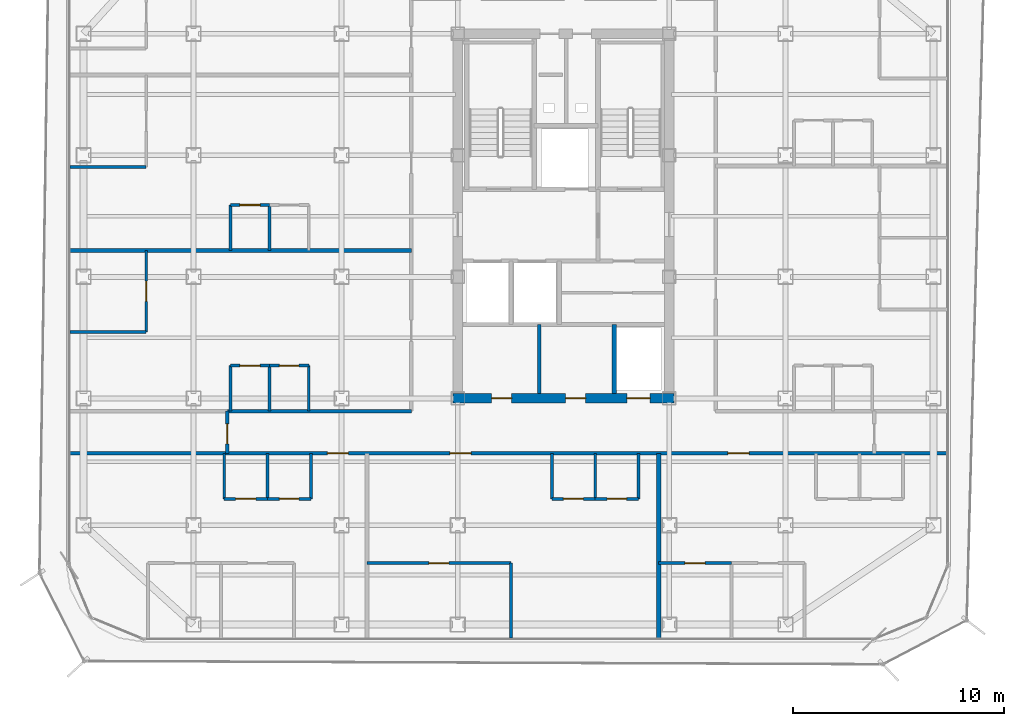
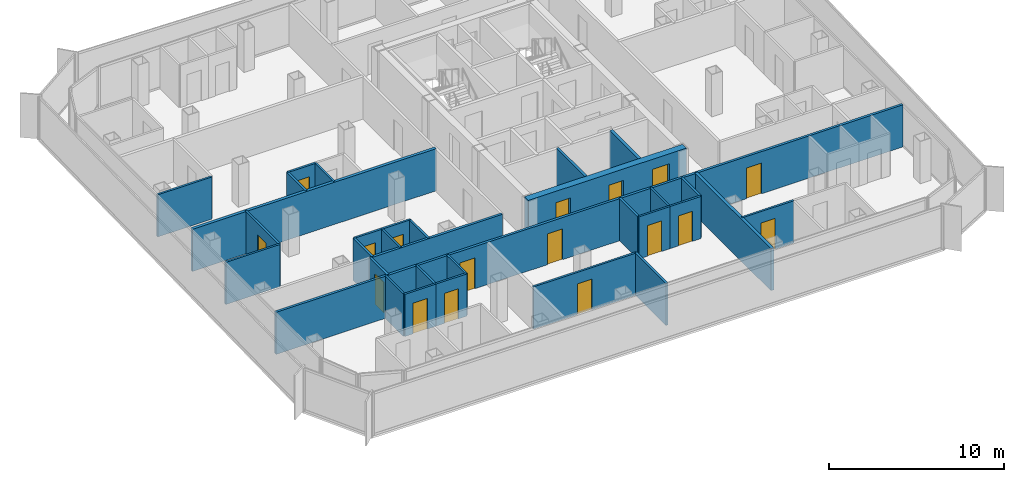
# One storey, part 10 of 16: 32 walls, 17 doors, 17 openings.
"""IFC4 building model written with IfcOpenShell, lengths in metres."""

from ifc_helpers import new_model, si_unit, direction, frame, frame_2d, origin, place, context, subcontext, project, spatial, rectangle, extrude, material, layer, layer_set, type_object, element, fill, save


model = new_model("IFC4")

# Units and contexts
model_context = context("Model", 3, precision=1e-05, world=origin(), true_north=direction((0.0, 1.0)))
body_context = subcontext(model_context, "Body", "Model", "MODEL_VIEW")
ifc_project = project(units=[si_unit("LENGTHUNIT", "METRE"), si_unit("AREAUNIT", "SQUARE_METRE"), si_unit("VOLUMEUNIT", "CUBIC_METRE"), si_unit("PLANEANGLEUNIT", "RADIAN"), si_unit("MASSUNIT", "GRAM", prefix="KILO")], contexts=[model_context])

# Site, building, storey
site_placement = place(None, origin())
site = spatial("IfcSite", under=ifc_project, at=site_placement, CompositionType="ELEMENT")
building_placement = place(site_placement, origin())
building = spatial("IfcBuilding", under=site, at=building_placement, Name="Kolveth Station Tower", CompositionType="ELEMENT")
storey_placement = place(building_placement, frame((0.0, 0.0, 159.300048828125)))
storey = spatial("IfcBuildingStorey", under=building, at=storey_placement, Name="L44", CompositionType="ELEMENT", Elevation=159.300048828125)

# Wall, openings, doors
ifc_material_1 = material(Name="Concrete C50/60", Category="concrete")
ifc_layer_1 = layer(ifc_material_1, 0.449951171875)
ifc_layer_set_1 = layer_set([ifc_layer_1], Name="Concrete C50/60")
wall_type_1 = type_object("IfcWallType", Name="Wall_CW-450", PredefinedType="SHEAR", material=ifc_layer_set_1)
wall_1_placement = place(storey_placement, frame((18.27490234375, 11.5, 0.0), z_axis=(0.0, 0.0, 1.0), x_axis=(1.0, 0.0, 0.0)))
wall_1 = element("IfcWall", 1, at=wall_1_placement, inside=storey, type_object=wall_type_1, Name="L44 Core RC Shear Wall S", PredefinedType="SHEAR", context=body_context, shape_type="SweptSolid", body=[
    extrude(rectangle(XDim=10.4501953125, YDim=0.449951171875, at=frame_2d((5.22509765625, 0.0))), origin(), (0.0, 0.0, 1.0), 2.949951171875),
])
opening_1_placement = place(wall_1_placement, frame((1.824951171875, 0.0, 0.0)))
opening_1 = element("IfcOpeningElement", 2, at=opening_1_placement, cuts=wall_1, Name="Opening ID1", PredefinedType="OPENING", context=body_context, shape_type="SweptSolid", body=[
    extrude(rectangle(XDim=0.949951171875, YDim=2.14990234375, at=frame_2d((0.47509765625, 1.074951171875))), frame((0.0, 0.23486328125, 0.0), z_axis=(0.0, -1.0, 0.0), x_axis=(1.0, 0.0, 0.0)), (0.0, 0.0, 1.0), 0.469970703125),
])
opening_2_placement = place(wall_1_placement, frame((5.324951171875, 0.0, 0.0)))
opening_2 = element("IfcOpeningElement", 3, at=opening_2_placement, cuts=wall_1, Name="Opening ID1", PredefinedType="OPENING", context=body_context, shape_type="SweptSolid", body=[
    extrude(rectangle(XDim=0.949951171875, YDim=2.14990234375, at=frame_2d((0.47509765625, 1.074951171875))), frame((0.0, 0.23486328125, 0.0), z_axis=(0.0, -1.0, 0.0), x_axis=(1.0, 0.0, 0.0)), (0.0, 0.0, 1.0), 0.469970703125),
])
opening_3_placement = place(wall_1_placement, frame((8.22509765625, 0.0, 0.0)))
opening_3 = element("IfcOpeningElement", 4, at=opening_3_placement, cuts=wall_1, Name="Opening LD1", PredefinedType="OPENING", context=body_context, shape_type="SweptSolid", body=[
    extrude(rectangle(XDim=1.10009765625, YDim=2.25, at=frame_2d((0.550048828125, 1.125))), frame((0.0, 0.23486328125, 0.0), z_axis=(0.0, -1.0, 0.0), x_axis=(1.0, 0.0, 0.0)), (0.0, 0.0, 1.0), 0.469970703125),
])
ifc_material_2 = material(Name="Acoustic hardwood leaf and aluminium frame", Category="wood")
door_type_1 = type_object("IfcDoorType", Name="Door_ID1", OperationType="NOTDEFINED", PredefinedType="DOOR", material=ifc_material_2)
door_1_placement = place(opening_1_placement, frame((0.949951171875, 0.0, 0.0), z_axis=(0.0, 0.0, 1.0), x_axis=(-1.0, 0.0, 0.0)))
door_1 = element("IfcDoor", 5, at=door_1_placement, inside=storey, type_object=door_type_1, Name="L44 Laundry Room Door", OperationType="SINGLE_SWING_LEFT", OverallHeight=2.14990234375, OverallWidth=0.949951171875, PredefinedType="DOOR", context=body_context, shape_type="SweptSolid", body=[
    extrude(rectangle(XDim=0.949951171875, YDim=2.14990234375, at=frame_2d((0.47509765625, 1.074951171875))), frame((0.0, 0.02490234375, 0.0), z_axis=(0.0, -1.0, 0.0), x_axis=(1.0, 0.0, 0.0)), (0.0, 0.0, 1.0), 0.050048828125),
])
fill(opening_1, door_1)
door_2_placement = place(opening_2_placement, frame((0.949951171875, 0.0, 0.0), z_axis=(0.0, 0.0, 1.0), x_axis=(-1.0, 0.0, 0.0)))
door_2 = element("IfcDoor", 6, at=door_2_placement, inside=storey, type_object=door_type_1, Name="L44 Parcel Room Door", OperationType="SINGLE_SWING_RIGHT", OverallHeight=2.14990234375, OverallWidth=0.949951171875, PredefinedType="DOOR", context=body_context, shape_type="SweptSolid", body=[
    extrude(rectangle(XDim=0.949951171875, YDim=2.14990234375, at=frame_2d((0.47509765625, 1.074951171875))), frame((0.0, 0.02490234375, 0.0), z_axis=(0.0, -1.0, 0.0), x_axis=(1.0, 0.0, 0.0)), (0.0, 0.0, 1.0), 0.050048828125),
])
fill(opening_2, door_2)
ifc_material_3 = material(Name="Brushed stainless steel sliding landing doors", Category="steel")
door_type_2 = type_object("IfcDoorType", Name="Door_LD1", OperationType="NOTDEFINED", PredefinedType="DOOR", material=ifc_material_3)
door_3_placement = place(opening_3_placement, frame((1.10009765625, 0.0, 0.0), z_axis=(0.0, 0.0, 1.0), x_axis=(-1.0, 0.0, 0.0)))
door_3 = element("IfcDoor", 7, at=door_3_placement, inside=storey, type_object=door_type_2, Name="L44 Lift PH1 Landing Door", OperationType="DOUBLE_DOOR_SLIDING", OverallHeight=2.25, OverallWidth=1.10009765625, PredefinedType="DOOR", context=body_context, shape_type="SweptSolid", body=[
    extrude(rectangle(XDim=1.10009765625, YDim=2.25, at=frame_2d((0.550048828125, 1.125))), frame((0.0, 0.02490234375, 0.0), z_axis=(0.0, -1.0, 0.0), x_axis=(1.0, 0.0, 0.0)), (0.0, 0.0, 1.0), 0.050048828125),
])
fill(opening_3, door_3)

# Wall, opening, door
ifc_material_4 = material(Name="Moisture-resistant gypsum partition")
ifc_layer_2 = layer(ifc_material_4, 0.135009765625)
ifc_layer_set_2 = layer_set([ifc_layer_2], Name="Moisture-resistant gypsum partition")
wall_type_2 = type_object("IfcWallType", Name="Wall_IW-135", PredefinedType="PARTITIONING", material=ifc_layer_set_2)
wall_2_placement = place(storey_placement, frame((7.449951171875, 6.75, 0.0), z_axis=(0.0, 0.0, 1.0), x_axis=(1.0, 0.0, 0.0)))
wall_2 = element("IfcWall", 8, at=wall_2_placement, inside=storey, type_object=wall_type_2, Name="L44 Partition Wall WL-L44-A1-IBHK", PredefinedType="PARTITIONING", context=body_context, shape_type="SweptSolid", body=[
    extrude(rectangle(XDim=2.050048828125, YDim=0.135009765625, at=frame_2d((1.02490234375, 0.0))), origin(), (0.0, 0.0, 1.0), 2.949951171875),
])
opening_4_placement = place(wall_2_placement, frame((0.544921875, 0.0, 0.0)))
opening_4 = element("IfcOpeningElement", 9, at=opening_4_placement, cuts=wall_2, Name="Opening ID1", PredefinedType="OPENING", context=body_context, shape_type="SweptSolid", body=[
    extrude(rectangle(XDim=0.949951171875, YDim=2.14990234375, at=frame_2d((0.47509765625, 1.074951171875))), frame((0.0, 0.077392578125, 0.0), z_axis=(0.0, -1.0, 0.0), x_axis=(1.0, 0.0, 0.0)), (0.0, 0.0, 1.0), 0.155029296875),
])
door_4_placement = place(opening_4_placement, origin())
door_4 = element("IfcDoor", 10, at=door_4_placement, inside=storey, type_object=door_type_1, Name="Penthouse Flat L44-A1 Kitchen Door", OperationType="SINGLE_SWING_LEFT", OverallHeight=2.14990234375, OverallWidth=0.949951171875, PredefinedType="DOOR", context=body_context, shape_type="SweptSolid", body=[
    extrude(rectangle(XDim=0.949951171875, YDim=2.14990234375, at=frame_2d((0.47509765625, 1.074951171875))), frame((0.0, 0.02490234375, 0.0), z_axis=(0.0, -1.0, 0.0), x_axis=(1.0, 0.0, 0.0)), (0.0, 0.0, 1.0), 0.050048828125),
])
fill(opening_4, door_4)

wall_3_placement = place(storey_placement, frame((9.5, 6.75, 0.0), z_axis=(0.0, 0.0, 1.0), x_axis=(1.0, 0.0, 0.0)))
wall_3 = element("IfcWall", 11, at=wall_3_placement, inside=storey, type_object=wall_type_2, Name="L44 Partition Wall WL-L44-A1-IBHB", PredefinedType="PARTITIONING", context=body_context, shape_type="SweptSolid", body=[
    extrude(rectangle(XDim=2.050048828125, YDim=0.135009765625, at=frame_2d((1.02490234375, 0.0))), origin(), (0.0, 0.0, 1.0), 2.949951171875),
])
opening_5_placement = place(wall_3_placement, frame((0.56494140625, 0.0, 0.0)))
opening_5 = element("IfcOpeningElement", 12, at=opening_5_placement, cuts=wall_3, Name="Opening ID2", PredefinedType="OPENING", context=body_context, shape_type="SweptSolid", body=[
    extrude(rectangle(XDim=0.919921875, YDim=2.10009765625, at=frame_2d((0.4599609375, 1.050048828125))), frame((0.0, 0.077392578125, 0.0), z_axis=(0.0, -1.0, 0.0), x_axis=(1.0, 0.0, 0.0)), (0.0, 0.0, 1.0), 0.155029296875),
])
ifc_material_5 = material(Name="Moisture-resistant hardwood leaf", Category="wood")
door_type_3 = type_object("IfcDoorType", Name="Door_ID2", OperationType="NOTDEFINED", PredefinedType="DOOR", material=ifc_material_5)
door_5_placement = place(opening_5_placement, origin())
door_5 = element("IfcDoor", 13, at=door_5_placement, inside=storey, type_object=door_type_3, Name="Penthouse Flat L44-A1 Bathroom Door", OperationType="SINGLE_SWING_RIGHT", OverallHeight=2.10009765625, OverallWidth=0.919921875, PredefinedType="DOOR", context=body_context, shape_type="SweptSolid", body=[
    extrude(rectangle(XDim=0.919921875, YDim=2.10009765625, at=frame_2d((0.4599609375, 1.050048828125))), frame((0.0, 0.02490234375, 0.0), z_axis=(0.0, -1.0, 0.0), x_axis=(1.0, 0.0, 0.0)), (0.0, 0.0, 1.0), 0.050048828125),
])
fill(opening_5, door_5)

# Walls
for number, where, z_axis, x_axis, name in (
    (14, (7.449951171875, 6.75, 0.0), (0.0, 0.0, 1.0), (0.0, 1.0, 0.0), "L44 Partition Wall WL-L44-A1-IBV0"),
    (15, (9.5, 6.75, 0.0), (0.0, 0.0, 1.0), (0.0, 1.0, 0.0), "L44 Partition Wall WL-L44-A1-IBV1"),
    (16, (11.550048828125, 6.75, 0.0), (0.0, 0.0, 1.0), (0.0, 1.0, 0.0), "L44 Partition Wall WL-L44-A1-IBV2"),
):
    element("IfcWall", number, at=place(storey_placement, frame(where, z_axis=z_axis, x_axis=x_axis)), inside=storey, type_object=wall_type_2, Name=name, PredefinedType="PARTITIONING", context=body_context, shape_type="SweptSolid", body=[
        extrude(rectangle(XDim=2.14990234375, YDim=0.135009765625, at=frame_2d((1.074951171875, 0.0))), origin(), (0.0, 0.0, 1.0), 2.949951171875),
    ])

# Wall, opening, door
wall_4_placement = place(storey_placement, frame((22.949951171875, 6.75, 0.0), z_axis=(0.0, 0.0, 1.0), x_axis=(1.0, 0.0, 0.0)))
wall_4 = element("IfcWall", 17, at=wall_4_placement, inside=storey, type_object=wall_type_2, Name="L44 Partition Wall WL-L44-A2-IBHK", PredefinedType="PARTITIONING", context=body_context, shape_type="SweptSolid", body=[
    extrude(rectangle(XDim=2.050048828125, YDim=0.135009765625, at=frame_2d((1.02490234375, 0.0))), origin(), (0.0, 0.0, 1.0), 2.949951171875),
])
opening_6_placement = place(wall_4_placement, frame((0.544921875, 0.0, 0.0)))
opening_6 = element("IfcOpeningElement", 18, at=opening_6_placement, cuts=wall_4, Name="Opening ID1", PredefinedType="OPENING", context=body_context, shape_type="SweptSolid", body=[
    extrude(rectangle(XDim=0.949951171875, YDim=2.14990234375, at=frame_2d((0.47509765625, 1.074951171875))), frame((0.0, 0.077392578125, 0.0), z_axis=(0.0, -1.0, 0.0), x_axis=(1.0, 0.0, 0.0)), (0.0, 0.0, 1.0), 0.155029296875),
])
door_6_placement = place(opening_6_placement, origin())
door_6 = element("IfcDoor", 19, at=door_6_placement, inside=storey, type_object=door_type_1, Name="Penthouse Flat L44-A2 Kitchen Door", OperationType="SINGLE_SWING_RIGHT", OverallHeight=2.14990234375, OverallWidth=0.949951171875, PredefinedType="DOOR", context=body_context, shape_type="SweptSolid", body=[
    extrude(rectangle(XDim=0.949951171875, YDim=2.14990234375, at=frame_2d((0.47509765625, 1.074951171875))), frame((0.0, 0.02490234375, 0.0), z_axis=(0.0, -1.0, 0.0), x_axis=(1.0, 0.0, 0.0)), (0.0, 0.0, 1.0), 0.050048828125),
])
fill(opening_6, door_6)

wall_5_placement = place(storey_placement, frame((25.0, 6.75, 0.0), z_axis=(0.0, 0.0, 1.0), x_axis=(1.0, 0.0, 0.0)))
wall_5 = element("IfcWall", 20, at=wall_5_placement, inside=storey, type_object=wall_type_2, Name="L44 Partition Wall WL-L44-A2-IBHB", PredefinedType="PARTITIONING", context=body_context, shape_type="SweptSolid", body=[
    extrude(rectangle(XDim=2.050048828125, YDim=0.135009765625, at=frame_2d((1.02490234375, 0.0))), origin(), (0.0, 0.0, 1.0), 2.949951171875),
])
opening_7_placement = place(wall_5_placement, frame((0.56494140625, 0.0, 0.0)))
opening_7 = element("IfcOpeningElement", 21, at=opening_7_placement, cuts=wall_5, Name="Opening ID2", PredefinedType="OPENING", context=body_context, shape_type="SweptSolid", body=[
    extrude(rectangle(XDim=0.919921875, YDim=2.10009765625, at=frame_2d((0.4599609375, 1.050048828125))), frame((0.0, 0.077392578125, 0.0), z_axis=(0.0, -1.0, 0.0), x_axis=(1.0, 0.0, 0.0)), (0.0, 0.0, 1.0), 0.155029296875),
])
door_7_placement = place(opening_7_placement, origin())
door_7 = element("IfcDoor", 22, at=door_7_placement, inside=storey, type_object=door_type_3, Name="Penthouse Flat L44-A2 Bathroom Door", OperationType="SINGLE_SWING_LEFT", OverallHeight=2.10009765625, OverallWidth=0.919921875, PredefinedType="DOOR", context=body_context, shape_type="SweptSolid", body=[
    extrude(rectangle(XDim=0.919921875, YDim=2.10009765625, at=frame_2d((0.4599609375, 1.050048828125))), frame((0.0, 0.02490234375, 0.0), z_axis=(0.0, -1.0, 0.0), x_axis=(1.0, 0.0, 0.0)), (0.0, 0.0, 1.0), 0.050048828125),
])
fill(opening_7, door_7)

# Walls
for number, where, z_axis, x_axis, name in (
    (23, (22.949951171875, 6.75, 0.0), (0.0, 0.0, 1.0), (0.0, 1.0, 0.0), "L44 Partition Wall WL-L44-A2-IBV0"),
    (24, (25.0, 6.75, 0.0), (0.0, 0.0, 1.0), (0.0, 1.0, 0.0), "L44 Partition Wall WL-L44-A2-IBV1"),
    (25, (27.050048828125, 6.75, 0.0), (0.0, 0.0, 1.0), (0.0, 1.0, 0.0), "L44 Partition Wall WL-L44-A2-IBV2"),
):
    element("IfcWall", number, at=place(storey_placement, frame(where, z_axis=z_axis, x_axis=x_axis)), inside=storey, type_object=wall_type_2, Name=name, PredefinedType="PARTITIONING", context=body_context, shape_type="SweptSolid", body=[
        extrude(rectangle(XDim=2.14990234375, YDim=0.135009765625, at=frame_2d((1.074951171875, 0.0))), origin(), (0.0, 0.0, 1.0), 2.949951171875),
    ])
wall_6_placement = place(storey_placement, frame((21.02001953125, 0.159912109375, 0.0), z_axis=(0.0, 0.0, 1.0), x_axis=(0.0, 1.0, 0.0)))
element("IfcWall", 26, at=wall_6_placement, inside=storey, type_object=wall_type_2, Name="L44 Partition Wall WL-L44-A2-BDVE", PredefinedType="PARTITIONING", context=body_context, shape_type="SweptSolid", body=[
    extrude(rectangle(XDim=3.550048828125, YDim=0.135009765625, at=frame_2d((1.77490234375, 0.0))), origin(), (0.0, 0.0, 1.0), 2.949951171875),
])

# Wall, opening, door
wall_7_placement = place(storey_placement, frame((14.199951171875, 3.7099609375, 0.0), z_axis=(0.0, 0.0, 1.0), x_axis=(1.0, 0.0, 0.0)))
wall_7 = element("IfcWall", 27, at=wall_7_placement, inside=storey, type_object=wall_type_2, Name="L44 Partition Wall WL-L44-A2-BDH1", PredefinedType="PARTITIONING", context=body_context, shape_type="SweptSolid", body=[
    extrude(rectangle(XDim=6.820068359375, YDim=0.135009765625, at=frame_2d((3.41015625, 0.0))), origin(), (0.0, 0.0, 1.0), 2.949951171875),
])
opening_8_placement = place(wall_7_placement, frame((2.929931640625, 0.0, 0.0)))
opening_8 = element("IfcOpeningElement", 28, at=opening_8_placement, cuts=wall_7, Name="Opening ID1", PredefinedType="OPENING", context=body_context, shape_type="SweptSolid", body=[
    extrude(rectangle(XDim=0.949951171875, YDim=2.14990234375, at=frame_2d((0.47509765625, 1.074951171875))), frame((0.0, 0.077392578125, 0.0), z_axis=(0.0, -1.0, 0.0), x_axis=(1.0, 0.0, 0.0)), (0.0, 0.0, 1.0), 0.155029296875),
])
door_8_placement = place(opening_8_placement, frame((0.949951171875, 0.0, 0.0), z_axis=(0.0, 0.0, 1.0), x_axis=(-1.0, 0.0, 0.0)))
door_8 = element("IfcDoor", 29, at=door_8_placement, inside=storey, type_object=door_type_1, Name="Penthouse Flat L44-A2 Bedroom 1 Door", OperationType="SINGLE_SWING_RIGHT", OverallHeight=2.14990234375, OverallWidth=0.949951171875, PredefinedType="DOOR", context=body_context, shape_type="SweptSolid", body=[
    extrude(rectangle(XDim=0.949951171875, YDim=2.14990234375, at=frame_2d((0.47509765625, 1.074951171875))), frame((0.0, 0.02490234375, 0.0), z_axis=(0.0, -1.0, 0.0), x_axis=(1.0, 0.0, 0.0)), (0.0, 0.0, 1.0), 0.050048828125),
])
fill(opening_8, door_8)

wall_8_placement = place(storey_placement, frame((28.0, 3.7099609375, 0.0), z_axis=(0.0, 0.0, 1.0), x_axis=(1.0, 0.0, 0.0)))
wall_8 = element("IfcWall", 30, at=wall_8_placement, inside=storey, type_object=wall_type_2, Name="L44 Partition Wall WL-L44-A3-BDH1", PredefinedType="PARTITIONING", context=body_context, shape_type="SweptSolid", body=[
    extrude(rectangle(XDim=3.449951171875, YDim=0.135009765625, at=frame_2d((1.72509765625, 0.0))), origin(), (0.0, 0.0, 1.0), 2.949951171875),
])
opening_9_placement = place(wall_8_placement, frame((1.2451171875, 0.0, 0.0)))
opening_9 = element("IfcOpeningElement", 31, at=opening_9_placement, cuts=wall_8, Name="Opening ID1", PredefinedType="OPENING", context=body_context, shape_type="SweptSolid", body=[
    extrude(rectangle(XDim=0.949951171875, YDim=2.14990234375, at=frame_2d((0.47509765625, 1.074951171875))), frame((0.0, 0.077392578125, 0.0), z_axis=(0.0, -1.0, 0.0), x_axis=(1.0, 0.0, 0.0)), (0.0, 0.0, 1.0), 0.155029296875),
])
door_9_placement = place(opening_9_placement, frame((0.949951171875, 0.0, 0.0), z_axis=(0.0, 0.0, 1.0), x_axis=(-1.0, 0.0, 0.0)))
door_9 = element("IfcDoor", 32, at=door_9_placement, inside=storey, type_object=door_type_1, Name="Penthouse Flat L44-A3 Bedroom 1 Door", OperationType="SINGLE_SWING_RIGHT", OverallHeight=2.14990234375, OverallWidth=0.949951171875, PredefinedType="DOOR", context=body_context, shape_type="SweptSolid", body=[
    extrude(rectangle(XDim=0.949951171875, YDim=2.14990234375, at=frame_2d((0.47509765625, 1.074951171875))), frame((0.0, 0.02490234375, 0.0), z_axis=(0.0, -1.0, 0.0), x_axis=(1.0, 0.0, 0.0)), (0.0, 0.0, 1.0), 0.050048828125),
])
fill(opening_9, door_9)

wall_9_placement = place(storey_placement, frame((7.75, 13.050048828125, 0.0), z_axis=(0.0, 0.0, 1.0), x_axis=(1.0, 0.0, 0.0)))
wall_9 = element("IfcWall", 33, at=wall_9_placement, inside=storey, type_object=wall_type_2, Name="L44 Partition Wall WL-L44-W1-IBHK", PredefinedType="PARTITIONING", context=body_context, shape_type="SweptSolid", body=[
    extrude(rectangle(XDim=1.85009765625, YDim=0.135009765625, at=frame_2d((0.925048828125, 0.0))), origin(), (0.0, 0.0, 1.0), 2.949951171875),
])
opening_10_placement = place(wall_9_placement, frame((0.445068359375, 0.0, 0.0)))
opening_10 = element("IfcOpeningElement", 34, at=opening_10_placement, cuts=wall_9, Name="Opening ID1", PredefinedType="OPENING", context=body_context, shape_type="SweptSolid", body=[
    extrude(rectangle(XDim=0.949951171875, YDim=2.14990234375, at=frame_2d((0.47509765625, 1.074951171875))), frame((0.0, 0.077392578125, 0.0), z_axis=(0.0, -1.0, 0.0), x_axis=(1.0, 0.0, 0.0)), (0.0, 0.0, 1.0), 0.155029296875),
])
door_10_placement = place(opening_10_placement, origin())
door_10 = element("IfcDoor", 35, at=door_10_placement, inside=storey, type_object=door_type_1, Name="Penthouse Flat L44-W1 Kitchen Door", OperationType="SINGLE_SWING_LEFT", OverallHeight=2.14990234375, OverallWidth=0.949951171875, PredefinedType="DOOR", context=body_context, shape_type="SweptSolid", body=[
    extrude(rectangle(XDim=0.949951171875, YDim=2.14990234375, at=frame_2d((0.47509765625, 1.074951171875))), frame((0.0, 0.02490234375, 0.0), z_axis=(0.0, -1.0, 0.0), x_axis=(1.0, 0.0, 0.0)), (0.0, 0.0, 1.0), 0.050048828125),
])
fill(opening_10, door_10)

wall_10_placement = place(storey_placement, frame((9.60009765625, 13.050048828125, 0.0), z_axis=(0.0, 0.0, 1.0), x_axis=(1.0, 0.0, 0.0)))
wall_10 = element("IfcWall", 36, at=wall_10_placement, inside=storey, type_object=wall_type_2, Name="L44 Partition Wall WL-L44-W1-IBHB", PredefinedType="PARTITIONING", context=body_context, shape_type="SweptSolid", body=[
    extrude(rectangle(XDim=1.849853515625, YDim=0.135009765625, at=frame_2d((0.9248046875, 0.0))), origin(), (0.0, 0.0, 1.0), 2.949951171875),
])
opening_11_placement = place(wall_10_placement, frame((0.465087890625, 0.0, 0.0)))
opening_11 = element("IfcOpeningElement", 37, at=opening_11_placement, cuts=wall_10, Name="Opening ID2", PredefinedType="OPENING", context=body_context, shape_type="SweptSolid", body=[
    extrude(rectangle(XDim=0.919921875, YDim=2.10009765625, at=frame_2d((0.4599609375, 1.050048828125))), frame((0.0, 0.077392578125, 0.0), z_axis=(0.0, -1.0, 0.0), x_axis=(1.0, 0.0, 0.0)), (0.0, 0.0, 1.0), 0.155029296875),
])
door_11_placement = place(opening_11_placement, origin())
door_11 = element("IfcDoor", 38, at=door_11_placement, inside=storey, type_object=door_type_3, Name="Penthouse Flat L44-W1 Bathroom Door", OperationType="SINGLE_SWING_RIGHT", OverallHeight=2.10009765625, OverallWidth=0.919921875, PredefinedType="DOOR", context=body_context, shape_type="SweptSolid", body=[
    extrude(rectangle(XDim=0.919921875, YDim=2.10009765625, at=frame_2d((0.4599609375, 1.050048828125))), frame((0.0, 0.02490234375, 0.0), z_axis=(0.0, -1.0, 0.0), x_axis=(1.0, 0.0, 0.0)), (0.0, 0.0, 1.0), 0.050048828125),
])
fill(opening_11, door_11)

# Walls
for number, where, z_axis, x_axis, name in (
    (39, (7.75, 10.89990234375, 0.0), (0.0, 0.0, 1.0), (0.0, 1.0, 0.0), "L44 Partition Wall WL-L44-W1-IBV0"),
    (40, (9.60009765625, 10.89990234375, 0.0), (0.0, 0.0, 1.0), (0.0, 1.0, 0.0), "L44 Partition Wall WL-L44-W1-IBV1"),
    (41, (11.449951171875, 10.89990234375, 0.0), (0.0, 0.0, 1.0), (0.0, 1.0, 0.0), "L44 Partition Wall WL-L44-W1-IBV2"),
):
    element("IfcWall", number, at=place(storey_placement, frame(where, z_axis=z_axis, x_axis=x_axis)), inside=storey, type_object=wall_type_2, Name=name, PredefinedType="PARTITIONING", context=body_context, shape_type="SweptSolid", body=[
        extrude(rectangle(XDim=2.150146484375, YDim=0.135009765625, at=frame_2d((1.0751953125, 0.0))), origin(), (0.0, 0.0, 1.0), 2.949951171875),
    ])
wall_11_placement = place(storey_placement, frame((0.159912109375, 14.64794921875, 0.0), z_axis=(0.0, 0.0, 1.0), x_axis=(1.0, 0.0, 0.0)))
element("IfcWall", 42, at=wall_11_placement, inside=storey, type_object=wall_type_2, Name="L44 Partition Wall WL-L44-W1-BDH0", PredefinedType="PARTITIONING", context=body_context, shape_type="SweptSolid", body=[
    extrude(rectangle(XDim=3.60009765625, YDim=0.135009765625, at=frame_2d((1.800048828125, 0.0))), origin(), (0.0, 0.0, 1.0), 2.949951171875),
])

# Wall, opening, door
wall_12_placement = place(storey_placement, frame((3.760009765625, 14.64794921875, 0.0), z_axis=(0.0, 0.0, 1.0), x_axis=(0.0, 1.0, 0.0)))
wall_12 = element("IfcWall", 43, at=wall_12_placement, inside=storey, type_object=wall_type_2, Name="L44 Partition Wall WL-L44-W1-BDV1", PredefinedType="PARTITIONING", context=body_context, shape_type="SweptSolid", body=[
    extrude(rectangle(XDim=3.85205078125, YDim=0.135009765625, at=frame_2d((1.926025390625, 0.0))), origin(), (0.0, 0.0, 1.0), 2.949951171875),
])
opening_12_placement = place(wall_12_placement, frame((1.446044921875, 0.0, 0.0)))
opening_12 = element("IfcOpeningElement", 44, at=opening_12_placement, cuts=wall_12, Name="Opening ID1", PredefinedType="OPENING", context=body_context, shape_type="SweptSolid", body=[
    extrude(rectangle(XDim=0.949951171875, YDim=2.14990234375, at=frame_2d((0.47509765625, 1.074951171875))), frame((0.0, 0.077392578125, 0.0), z_axis=(0.0, -1.0, 0.0), x_axis=(1.0, 0.0, 0.0)), (0.0, 0.0, 1.0), 0.155029296875),
])
door_12_placement = place(opening_12_placement, origin())
door_12 = element("IfcDoor", 45, at=door_12_placement, inside=storey, type_object=door_type_1, Name="Penthouse Flat L44-W1 Bedroom 1 Door", OperationType="SINGLE_SWING_LEFT", OverallHeight=2.14990234375, OverallWidth=0.949951171875, PredefinedType="DOOR", context=body_context, shape_type="SweptSolid", body=[
    extrude(rectangle(XDim=0.949951171875, YDim=2.14990234375, at=frame_2d((0.47509765625, 1.074951171875))), frame((0.0, 0.02490234375, 0.0), z_axis=(0.0, -1.0, 0.0), x_axis=(1.0, 0.0, 0.0)), (0.0, 0.0, 1.0), 0.050048828125),
])
fill(opening_12, door_12)

wall_13_placement = place(storey_placement, frame((7.75, 20.64990234375, 0.0), z_axis=(0.0, 0.0, 1.0), x_axis=(1.0, 0.0, 0.0)))
wall_13 = element("IfcWall", 46, at=wall_13_placement, inside=storey, type_object=wall_type_2, Name="L44 Partition Wall WL-L44-W2-IBHK", PredefinedType="PARTITIONING", context=body_context, shape_type="SweptSolid", body=[
    extrude(rectangle(XDim=1.85009765625, YDim=0.135009765625, at=frame_2d((0.925048828125, 0.0))), origin(), (0.0, 0.0, 1.0), 2.949951171875),
])
opening_13_placement = place(wall_13_placement, frame((0.445068359375, 0.0, 0.0)))
opening_13 = element("IfcOpeningElement", 47, at=opening_13_placement, cuts=wall_13, Name="Opening ID1", PredefinedType="OPENING", context=body_context, shape_type="SweptSolid", body=[
    extrude(rectangle(XDim=0.949951171875, YDim=2.14990234375, at=frame_2d((0.47509765625, 1.074951171875))), frame((0.0, 0.077392578125, 0.0), z_axis=(0.0, -1.0, 0.0), x_axis=(1.0, 0.0, 0.0)), (0.0, 0.0, 1.0), 0.155029296875),
])
door_13_placement = place(opening_13_placement, origin())
door_13 = element("IfcDoor", 48, at=door_13_placement, inside=storey, type_object=door_type_1, Name="Penthouse Flat L44-W2 Kitchen Door", OperationType="SINGLE_SWING_LEFT", OverallHeight=2.14990234375, OverallWidth=0.949951171875, PredefinedType="DOOR", context=body_context, shape_type="SweptSolid", body=[
    extrude(rectangle(XDim=0.949951171875, YDim=2.14990234375, at=frame_2d((0.47509765625, 1.074951171875))), frame((0.0, 0.02490234375, 0.0), z_axis=(0.0, -1.0, 0.0), x_axis=(1.0, 0.0, 0.0)), (0.0, 0.0, 1.0), 0.050048828125),
])
fill(opening_13, door_13)

# Walls
for number, where, z_axis, x_axis, name in (
    (49, (7.75, 18.5, 0.0), (0.0, 0.0, 1.0), (0.0, 1.0, 0.0), "L44 Partition Wall WL-L44-W2-IBV0"),
    (50, (9.60009765625, 18.5, 0.0), (0.0, 0.0, 1.0), (0.0, 1.0, 0.0), "L44 Partition Wall WL-L44-W2-IBV1"),
):
    element("IfcWall", number, at=place(storey_placement, frame(where, z_axis=z_axis, x_axis=x_axis)), inside=storey, type_object=wall_type_2, Name=name, PredefinedType="PARTITIONING", context=body_context, shape_type="SweptSolid", body=[
        extrude(rectangle(XDim=2.14990234375, YDim=0.135009765625, at=frame_2d((1.074951171875, 0.0))), origin(), (0.0, 0.0, 1.0), 2.949951171875),
    ])
wall_14_placement = place(storey_placement, frame((0.159912109375, 22.444091796875, 0.0), z_axis=(0.0, 0.0, 1.0), x_axis=(1.0, 0.0, 0.0)))
element("IfcWall", 51, at=wall_14_placement, inside=storey, type_object=wall_type_2, Name="L44 Partition Wall WL-L44-W2-BDH0", PredefinedType="PARTITIONING", context=body_context, shape_type="SweptSolid", body=[
    extrude(rectangle(XDim=3.60009765625, YDim=0.135009765625, at=frame_2d((1.800048828125, 0.0))), origin(), (0.0, 0.0, 1.0), 2.949951171875),
])
ifc_material_6 = material(Name="Acoustic double-stud gypsum partition")
ifc_layer_3 = layer(ifc_material_6, 0.1650390625)
ifc_layer_set_3 = layer_set([ifc_layer_3], Name="Acoustic double-stud gypsum partition")
wall_type_3 = type_object("IfcWallType", Name="Wall_IW-165", PredefinedType="PARTITIONING", material=ifc_layer_set_3)
wall_15_placement = place(storey_placement, frame((22.35009765625, 11.735107421875, 0.0), z_axis=(0.0, 0.0, 1.0), x_axis=(0.0, 1.0, 0.0)))
element("IfcWall", 52, at=wall_15_placement, inside=storey, type_object=wall_type_3, Name="L44 Partition Wall WL-L44-FR-M", PredefinedType="PARTITIONING", context=body_context, shape_type="SweptSolid", body=[
    extrude(rectangle(XDim=3.264892578125, YDim=0.1650390625, at=frame_2d((1.63232421875, 0.0))), origin(), (0.0, 0.0, 1.0), 2.949951171875),
])

# Wall, openings, doors
wall_16_placement = place(storey_placement, frame((0.159912109375, 8.89990234375, 0.0), z_axis=(0.0, 0.0, 1.0), x_axis=(1.0, 0.0, 0.0)))
wall_16 = element("IfcWall", 53, at=wall_16_placement, inside=storey, type_object=wall_type_3, Name="L44 Partition Wall WL-L44-RS", PredefinedType="PARTITIONING", context=body_context, shape_type="SweptSolid", body=[
    extrude(rectangle(XDim=41.47998046875, YDim=0.1650390625, at=frame_2d((20.739990234375, 0.0))), origin(), (0.0, 0.0, 1.0), 2.949951171875),
])
opening_14_placement = place(wall_16_placement, frame((12.1650390625, 0.0, 0.0)))
opening_14 = element("IfcOpeningElement", 54, at=opening_14_placement, cuts=wall_16, Name="Opening FD3", PredefinedType="OPENING", context=body_context, shape_type="SweptSolid", body=[
    extrude(rectangle(XDim=1.0, YDim=2.14990234375, at=frame_2d((0.5, 1.074951171875))), frame((0.0, 0.092529296875, 0.0), z_axis=(0.0, -1.0, 0.0), x_axis=(1.0, 0.0, 0.0)), (0.0, 0.0, 1.0), 0.18505859375),
])
opening_15_placement = place(wall_16_placement, frame((17.965087890625, 0.0, 0.0)))
opening_15 = element("IfcOpeningElement", 55, at=opening_15_placement, cuts=wall_16, Name="Opening FD3", PredefinedType="OPENING", context=body_context, shape_type="SweptSolid", body=[
    extrude(rectangle(XDim=1.0, YDim=2.14990234375, at=frame_2d((0.5, 1.074951171875))), frame((0.0, 0.092529296875, 0.0), z_axis=(0.0, -1.0, 0.0), x_axis=(1.0, 0.0, 0.0)), (0.0, 0.0, 1.0), 0.18505859375),
])
opening_16_placement = place(wall_16_placement, frame((31.114990234375, 0.0, 0.0)))
opening_16 = element("IfcOpeningElement", 56, at=opening_16_placement, cuts=wall_16, Name="Opening FD3", PredefinedType="OPENING", context=body_context, shape_type="SweptSolid", body=[
    extrude(rectangle(XDim=1.0, YDim=2.14990234375, at=frame_2d((0.5, 1.074951171875))), frame((0.0, 0.092529296875, 0.0), z_axis=(0.0, -1.0, 0.0), x_axis=(1.0, 0.0, 0.0)), (0.0, 0.0, 1.0), 0.18505859375),
])
ifc_material_7 = material(Name="Fire-rated hardwood leaf and aluminium frame", Category="wood")
door_type_4 = type_object("IfcDoorType", Name="Door_FD3", OperationType="NOTDEFINED", PredefinedType="DOOR", material=ifc_material_7)
door_14_placement = place(opening_14_placement, frame((1.0, 0.0, 0.0), z_axis=(0.0, 0.0, 1.0), x_axis=(-1.0, 0.0, 0.0)))
door_14 = element("IfcDoor", 57, at=door_14_placement, inside=storey, type_object=door_type_4, Name="Penthouse Flat L44-A1 Entrance Door", OperationType="SINGLE_SWING_LEFT", OverallHeight=2.14990234375, OverallWidth=1.0, PredefinedType="DOOR", context=body_context, shape_type="SweptSolid", body=[
    extrude(rectangle(XDim=1.0, YDim=2.14990234375, at=frame_2d((0.5, 1.074951171875))), frame((0.0, 0.02490234375, 0.0), z_axis=(0.0, -1.0, 0.0), x_axis=(1.0, 0.0, 0.0)), (0.0, 0.0, 1.0), 0.050048828125),
])
fill(opening_14, door_14)
door_15_placement = place(opening_15_placement, frame((1.0, 0.0, 0.0), z_axis=(0.0, 0.0, 1.0), x_axis=(-1.0, 0.0, 0.0)))
door_15 = element("IfcDoor", 58, at=door_15_placement, inside=storey, type_object=door_type_4, Name="Penthouse Flat L44-A2 Entrance Door", OperationType="SINGLE_SWING_LEFT", OverallHeight=2.14990234375, OverallWidth=1.0, PredefinedType="DOOR", context=body_context, shape_type="SweptSolid", body=[
    extrude(rectangle(XDim=1.0, YDim=2.14990234375, at=frame_2d((0.5, 1.074951171875))), frame((0.0, 0.02490234375, 0.0), z_axis=(0.0, -1.0, 0.0), x_axis=(1.0, 0.0, 0.0)), (0.0, 0.0, 1.0), 0.050048828125),
])
fill(opening_15, door_15)
door_16_placement = place(opening_16_placement, frame((1.0, 0.0, 0.0), z_axis=(0.0, 0.0, 1.0), x_axis=(-1.0, 0.0, 0.0)))
door_16 = element("IfcDoor", 59, at=door_16_placement, inside=storey, type_object=door_type_4, Name="Penthouse Flat L44-A3 Entrance Door", OperationType="SINGLE_SWING_LEFT", OverallHeight=2.14990234375, OverallWidth=1.0, PredefinedType="DOOR", context=body_context, shape_type="SweptSolid", body=[
    extrude(rectangle(XDim=1.0, YDim=2.14990234375, at=frame_2d((0.5, 1.074951171875))), frame((0.0, 0.02490234375, 0.0), z_axis=(0.0, -1.0, 0.0), x_axis=(1.0, 0.0, 0.0)), (0.0, 0.0, 1.0), 0.050048828125),
])
fill(opening_16, door_16)

# Wall
wall_17_placement = place(storey_placement, frame((7.60009765625, 10.89990234375, 0.0), z_axis=(0.0, 0.0, 1.0), x_axis=(1.0, 0.0, 0.0)))
element("IfcWall", 60, at=wall_17_placement, inside=storey, type_object=wall_type_3, Name="L44 Partition Wall WL-L44-RSWT", PredefinedType="PARTITIONING", context=body_context, shape_type="SweptSolid", body=[
    extrude(rectangle(XDim=8.699951171875, YDim=0.1650390625, at=frame_2d((4.35009765625, 0.0))), origin(), (0.0, 0.0, 1.0), 2.949951171875),
])

# Wall, opening, door
wall_18_placement = place(storey_placement, frame((7.60009765625, 8.89990234375, 0.0), z_axis=(0.0, 0.0, 1.0), x_axis=(0.0, 1.0, 0.0)))
wall_18 = element("IfcWall", 61, at=wall_18_placement, inside=storey, type_object=wall_type_3, Name="L44 Partition Wall WL-L44-RSWE", PredefinedType="PARTITIONING", context=body_context, shape_type="SweptSolid", body=[
    extrude(rectangle(XDim=2.0, YDim=0.1650390625, at=frame_2d((1.0, 0.0))), origin(), (0.0, 0.0, 1.0), 2.949951171875),
])
opening_17_placement = place(wall_18_placement, frame((0.449951171875, 0.0, 0.0)))
opening_17 = element("IfcOpeningElement", 62, at=opening_17_placement, cuts=wall_18, Name="Opening ID1", PredefinedType="OPENING", context=body_context, shape_type="SweptSolid", body=[
    extrude(rectangle(XDim=0.949951171875, YDim=2.14990234375, at=frame_2d((0.47509765625, 1.074951171875))), frame((0.0, 0.092529296875, 0.0), z_axis=(0.0, -1.0, 0.0), x_axis=(1.0, 0.0, 0.0)), (0.0, 0.0, 1.0), 0.18505859375),
])
door_17_placement = place(opening_17_placement, frame((0.949951171875, 0.0, 0.0), z_axis=(0.0, 0.0, 1.0), x_axis=(-1.0, 0.0, 0.0)))
door_17 = element("IfcDoor", 63, at=door_17_placement, inside=storey, type_object=door_type_1, Name="L44 West Store Door", OperationType="SINGLE_SWING_LEFT", OverallHeight=2.14990234375, OverallWidth=0.949951171875, PredefinedType="DOOR", context=body_context, shape_type="SweptSolid", body=[
    extrude(rectangle(XDim=0.949951171875, YDim=2.14990234375, at=frame_2d((0.47509765625, 1.074951171875))), frame((0.0, 0.02490234375, 0.0), z_axis=(0.0, -1.0, 0.0), x_axis=(1.0, 0.0, 0.0)), (0.0, 0.0, 1.0), 0.050048828125),
])
fill(opening_17, door_17)

# Walls
ifc_material_8 = material(Name="Acoustic fire-rated gypsum blockwork", Category="masonry")
ifc_layer_4 = layer(ifc_material_8, 0.199951171875)
ifc_layer_set_4 = layer_set([ifc_layer_4], Name="Acoustic fire-rated gypsum blockwork")
wall_type_4 = type_object("IfcWallType", Name="Wall_IW-200", PredefinedType="PARTITIONING", material=ifc_layer_set_4)
wall_19_placement = place(storey_placement, frame((25.89990234375, 11.735107421875, 0.0), z_axis=(0.0, 0.0, 1.0), x_axis=(0.0, 1.0, 0.0)))
element("IfcWall", 64, at=wall_19_placement, inside=storey, type_object=wall_type_4, Name="L44 Partition Wall WL-L44-PMPH", PredefinedType="PARTITIONING", context=body_context, shape_type="SweptSolid", body=[
    extrude(rectangle(XDim=3.264892578125, YDim=0.199951171875, at=frame_2d((1.63232421875, 0.0))), origin(), (0.0, 0.0, 1.0), 2.949951171875),
])
wall_20_placement = place(storey_placement, frame((28.0, 0.159912109375, 0.0), z_axis=(0.0, 0.0, 1.0), x_axis=(0.0, 1.0, 0.0)))
element("IfcWall", 65, at=wall_20_placement, inside=storey, type_object=wall_type_4, Name="L44 Partition Wall WL-L44-RSU-2", PredefinedType="PARTITIONING", context=body_context, shape_type="SweptSolid", body=[
    extrude(rectangle(XDim=8.739990234375, YDim=0.199951171875, at=frame_2d((4.3701171875, 0.0))), origin(), (0.0, 0.0, 1.0), 2.949951171875),
])
wall_21_placement = place(storey_placement, frame((0.159912109375, 18.5, 0.0), z_axis=(0.0, 0.0, 1.0), x_axis=(1.0, 0.0, 0.0)))
element("IfcWall", 66, at=wall_21_placement, inside=storey, type_object=wall_type_4, Name="L44 Partition Wall WL-L44-RWU-1", PredefinedType="PARTITIONING", context=body_context, shape_type="SweptSolid", body=[
    extrude(rectangle(XDim=16.14013671875, YDim=0.199951171875, at=frame_2d((8.070068359375, 0.0))), origin(), (0.0, 0.0, 1.0), 2.949951171875),
])

save(model, "model.ifc")
